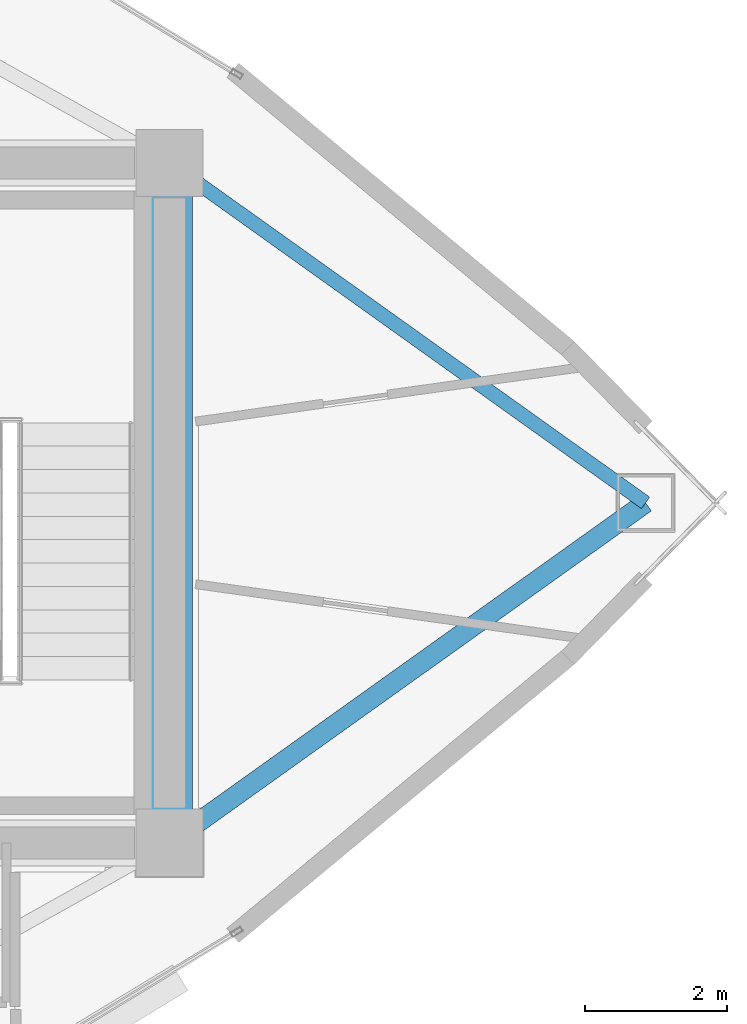
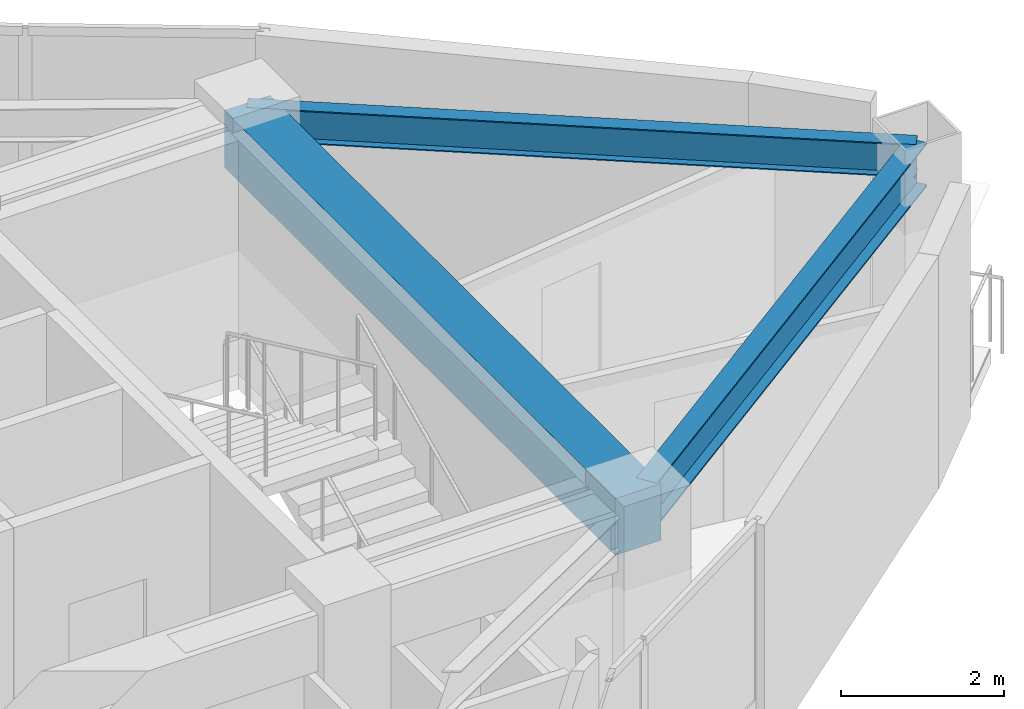
# One storey, part 6 of 15: 3 beams.
"""IFC4 building model written with IfcOpenShell, lengths in metres."""

from ifc_helpers import new_model, si_unit, direction, frame, origin, origin_2d, place, context, subcontext, project, spatial, rectangle, i_section, extrude, material, material_profile, profile_set, type_object, element, save


model = new_model("IFC4")

# Units and contexts
model_context = context("Model", 3, precision=1e-05, world=origin(), true_north=direction((0.0, 1.0)))
body_context = subcontext(model_context, "Body", "Model", "MODEL_VIEW")
ifc_project = project(units=[si_unit("LENGTHUNIT", "METRE"), si_unit("AREAUNIT", "SQUARE_METRE"), si_unit("VOLUMEUNIT", "CUBIC_METRE"), si_unit("PLANEANGLEUNIT", "RADIAN"), si_unit("MASSUNIT", "GRAM", prefix="KILO")], contexts=[model_context])

# Site, building, storey
site_placement = place(None, origin())
site = spatial("IfcSite", under=ifc_project, at=site_placement, CompositionType="ELEMENT")
building_placement = place(site_placement, origin())
building = spatial("IfcBuilding", under=site, at=building_placement, Name="Menara Vayukalpa", CompositionType="ELEMENT")
storey_placement = place(building_placement, frame((0.0, 0.0, 288.06005859375)))
storey = spatial("IfcBuildingStorey", under=building, at=storey_placement, Name="L73", CompositionType="ELEMENT", Elevation=288.06005859375)

# Beams
ifc_material_1 = material(Name="Concrete C60/75", Category="concrete")
ifc_material_profile_1 = material_profile(ifc_material_1, rectangle(XDim=0.64990234375, YDim=0.85009765625, at=origin_2d()), Name="RC 650x850")
ifc_profile_set_1 = profile_set([ifc_material_profile_1], Name="Concrete C60/75")
beam_type_1 = type_object("IfcBeamType", Name="BM-CB1", PredefinedType="BEAM", material=ifc_profile_set_1)
beam_1_placement = place(storey_placement, frame((33.39990234375, 17.199951171875, 3.074951171875), z_axis=(0.0, 1.0, 0.0), x_axis=(-1.0, 0.0, 0.0)))
element("IfcBeam", 1, at=beam_1_placement, inside=storey, type_object=beam_type_1, Name="L73 Core Tie Beam CBR8", PredefinedType="BEAM", context=body_context, shape_type="SweptSolid", body=[
    extrude(rectangle(XDim=0.64990234375, YDim=0.85009765625, at=origin_2d()), origin(), (0.0, 0.0, 1.0), 9.60009765625),
])
ifc_material_2 = material(Name="Steel S355", Category="steel")
ifc_material_profile_2 = material_profile(ifc_material_2, i_section(OverallWidth=0.280029296875, OverallDepth=0.64990234375, WebThickness=0.012939453125, FlangeThickness=0.02197265625, at=origin_2d()), Name="WF 650x280x13x22")
ifc_profile_set_2 = profile_set([ifc_material_profile_2], Name="Steel S355")
beam_type_2 = type_object("IfcBeamType", Name="BM-PG6", PredefinedType="BEAM", material=ifc_profile_set_2)
beam_2_placement = place(storey_placement, frame((33.603515625, 17.34521484375, 3.175048828125), z_axis=(0.813801429135, 0.581143040859, 0.0), x_axis=(-0.581143040859, 0.813801429135, 0.0)))
element("IfcBeam", 2, at=beam_2_placement, inside=storey, type_object=beam_type_2, Name="L73 Primary Radial Girder RG01", PredefinedType="BEAM", context=body_context, shape_type="SweptSolid", body=[
    extrude(i_section(OverallWidth=0.280029296875, OverallDepth=0.64990234375, WebThickness=0.012939453125, FlangeThickness=0.02197265625, at=origin_2d()), origin(), (0.0, 0.0, 1.0), 8.009765625),
])
ifc_material_3 = material(Name="Steel S355", Category="steel")
ifc_material_profile_3 = material_profile(ifc_material_3, i_section(OverallWidth=0.199951171875, OverallDepth=0.5, WebThickness=0.010009765625, FlangeThickness=0.01611328125, at=origin_2d()), Name="WF 500x200x10x16")
ifc_profile_set_3 = profile_set([ifc_material_profile_3], Name="Steel S355")
beam_type_3 = type_object("IfcBeamType", Name="BM-SP3", PredefinedType="SPANDREL", material=ifc_profile_set_3)
beam_3_placement = place(storey_placement, frame((40.121826171875, 22.0, 3.25), z_axis=(-0.813809355401, 0.581131941181, 0.0), x_axis=(-0.581131941181, -0.813809355401, 0.0)))
element("IfcBeam", 3, at=beam_3_placement, inside=storey, type_object=beam_type_3, Name="L73 Perimeter Spandrel Beam SP01", PredefinedType="SPANDREL", context=body_context, shape_type="SweptSolid", body=[
    extrude(i_section(OverallWidth=0.199951171875, OverallDepth=0.5, WebThickness=0.010009765625, FlangeThickness=0.01611328125, at=origin_2d()), origin(), (0.0, 0.0, 1.0), 8.259765625),
])

save(model, "model.ifc")
